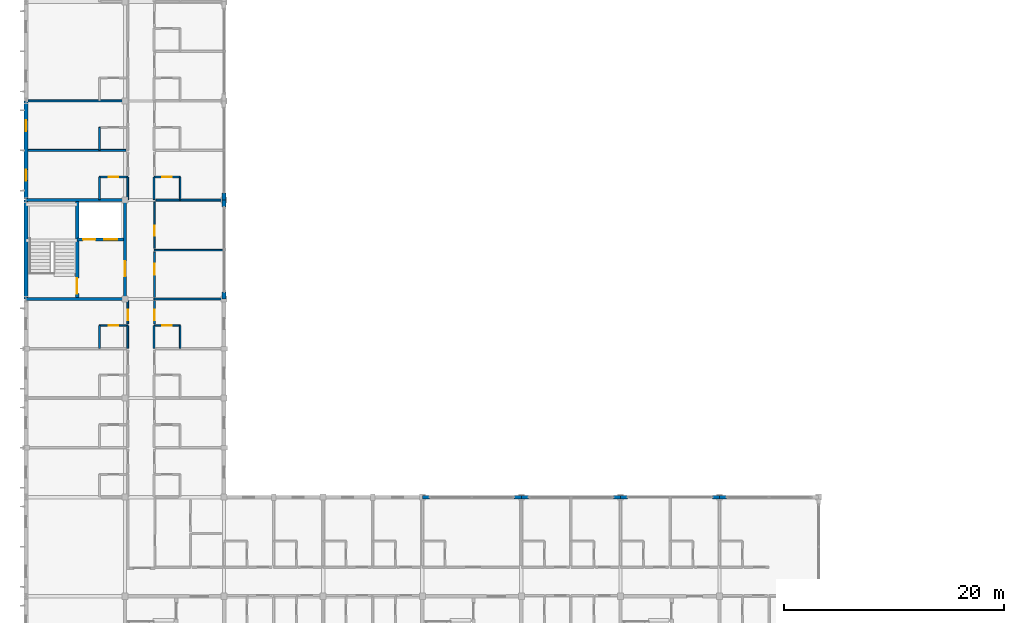
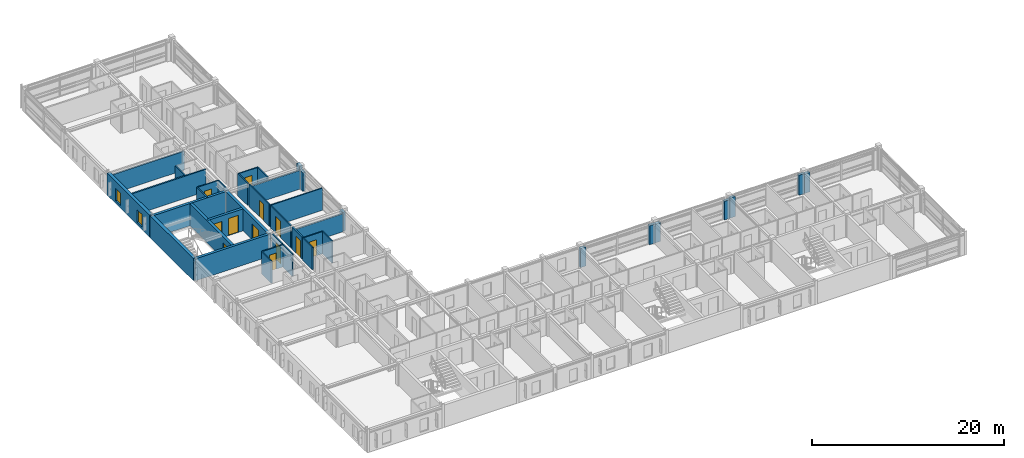
# One storey, part 19 of 30: 39 walls, 12 doors, 2 windows, 14 openings.
"""IFC4 building model written with IfcOpenShell, lengths in metres."""

from ifc_helpers import new_model, si_unit, direction, frame, frame_2d, origin, place, context, subcontext, project, spatial, rectangle, extrude, material, layer, layer_set, type_object, element, fill, save


model = new_model("IFC4")

# Units and contexts
model_context = context("Model", 3, precision=1e-05, world=origin(), true_north=direction((0.0, 1.0)))
body_context = subcontext(model_context, "Body", "Model", "MODEL_VIEW")
ifc_project = project(units=[si_unit("LENGTHUNIT", "METRE"), si_unit("AREAUNIT", "SQUARE_METRE"), si_unit("VOLUMEUNIT", "CUBIC_METRE"), si_unit("PLANEANGLEUNIT", "RADIAN"), si_unit("MASSUNIT", "GRAM", prefix="KILO")], contexts=[model_context])

# Site, building, storey
site_placement = place(None, origin())
site = spatial("IfcSite", under=ifc_project, at=site_placement, CompositionType="ELEMENT")
building_placement = place(site_placement, origin())
building = spatial("IfcBuilding", under=site, at=building_placement, Name="Palais des Congres Ocreval", CompositionType="ELEMENT")
storey_placement = place(building_placement, frame((0.0, 0.0, 14.56005859375)))
storey = spatial("IfcBuildingStorey", under=building, at=storey_placement, Name="L04", CompositionType="ELEMENT", Elevation=14.56005859375)

# Wall, opening, door
ifc_material_1 = material(Name="Moisture-resistant gypsum board")
ifc_layer_1 = layer(ifc_material_1, 0.139892578125)
ifc_layer_set_1 = layer_set([ifc_layer_1], Name="Bathroom Plumbing Chase Wall 140 Gypsum (Moisture-resistant gypsum board)")
wall_type_1 = type_object("IfcWallType", Name="Bathroom Plumbing Chase Wall 140 Gypsum", PredefinedType="PLUMBINGWALL", material=ifc_layer_set_1)
wall_1_placement = place(storey_placement, frame((6.679931640625, 33.580078125, 0.0), z_axis=(0.0, 0.0, 1.0), x_axis=(1.0, 0.0, 0.0)))
wall_1 = element("IfcWall", 1, at=wall_1_placement, inside=storey, type_object=wall_type_1, Name="Bathroom Plumbing Wall PW03 L04", PredefinedType="PLUMBINGWALL", context=body_context, shape_type="SweptSolid", body=[
    extrude(rectangle(XDim=2.56005859375, YDim=0.139892578125, at=frame_2d((1.280029296875, 0.0))), origin(), (0.0, 0.0, 1.0), 2.81982421875),
])
opening_1_placement = place(wall_1_placement, frame((0.85498046875, 0.0, 0.0)))
opening_1 = element("IfcOpeningElement", 2, at=opening_1_placement, cuts=wall_1, Name="Opening D08", PredefinedType="OPENING", context=body_context, shape_type="SweptSolid", body=[
    extrude(rectangle(XDim=0.85009765625, YDim=2.0400390625, at=frame_2d((0.425048828125, 1.02001953125))), frame((0.0, 0.079833984375, 0.0), z_axis=(0.0, -1.0, 0.0), x_axis=(1.0, 0.0, 0.0)), (0.0, 0.0, 1.0), 0.159912109375),
])
ifc_material_2 = material(Name="Solid French oak", Category="wood")
door_type_1 = type_object("IfcDoorType", Name="En-Suite Bathroom Door 850x2040", OperationType="NOTDEFINED", PredefinedType="DOOR", material=ifc_material_2)
door_1_placement = place(opening_1_placement, origin())
door_1 = element("IfcDoor", 3, at=door_1_placement, inside=storey, type_object=door_type_1, Name="En-Suite Bathroom Door D08 L04", OperationType="SINGLE_SWING_RIGHT", OverallHeight=2.0400390625, OverallWidth=0.85009765625, PredefinedType="DOOR", context=body_context, shape_type="SweptSolid", body=[
    extrude(rectangle(XDim=0.85009765625, YDim=2.0400390625, at=frame_2d((0.425048828125, 1.02001953125))), frame((0.0, 0.02490234375, 0.0), z_axis=(0.0, -1.0, 0.0), x_axis=(1.0, 0.0, 0.0)), (0.0, 0.0, 1.0), 0.050048828125),
])
fill(opening_1, door_1)

# Wall
wall_2_placement = place(storey_placement, frame((6.679931640625, 31.52001953125, 0.0), z_axis=(0.0, 0.0, 1.0), x_axis=(0.0, 1.0, 0.0)))
element("IfcWall", 4, at=wall_2_placement, inside=storey, type_object=wall_type_1, Name="Bathroom Plumbing Wall PW03 L04", PredefinedType="PLUMBINGWALL", context=body_context, shape_type="SweptSolid", body=[
    extrude(rectangle(XDim=2.06005859375, YDim=0.139892578125, at=frame_2d((1.030029296875, 0.0))), origin(), (0.0, 0.0, 1.0), 2.81982421875),
])

# Wall, opening, door
wall_3_placement = place(storey_placement, frame((11.639892578125, 33.580078125, 0.0), z_axis=(0.0, 0.0, 1.0), x_axis=(1.0, 0.0, 0.0)))
wall_3 = element("IfcWall", 5, at=wall_3_placement, inside=storey, type_object=wall_type_1, Name="Bathroom Plumbing Wall PW03 L04", PredefinedType="PLUMBINGWALL", context=body_context, shape_type="SweptSolid", body=[
    extrude(rectangle(XDim=2.360107421875, YDim=0.139892578125, at=frame_2d((1.18017578125, 0.0))), origin(), (0.0, 0.0, 1.0), 2.81982421875),
])
opening_2_placement = place(wall_3_placement, frame((0.7548828125, 0.0, 0.0)))
opening_2 = element("IfcOpeningElement", 6, at=opening_2_placement, cuts=wall_3, Name="Opening D08", PredefinedType="OPENING", context=body_context, shape_type="SweptSolid", body=[
    extrude(rectangle(XDim=0.85009765625, YDim=2.0400390625, at=frame_2d((0.425048828125, 1.02001953125))), frame((0.0, 0.079833984375, 0.0), z_axis=(0.0, -1.0, 0.0), x_axis=(1.0, 0.0, 0.0)), (0.0, 0.0, 1.0), 0.159912109375),
])
door_2_placement = place(opening_2_placement, origin())
door_2 = element("IfcDoor", 7, at=door_2_placement, inside=storey, type_object=door_type_1, Name="En-Suite Bathroom Door D08 L04", OperationType="SINGLE_SWING_RIGHT", OverallHeight=2.0400390625, OverallWidth=0.85009765625, PredefinedType="DOOR", context=body_context, shape_type="SweptSolid", body=[
    extrude(rectangle(XDim=0.85009765625, YDim=2.0400390625, at=frame_2d((0.425048828125, 1.02001953125))), frame((0.0, 0.02490234375, 0.0), z_axis=(0.0, -1.0, 0.0), x_axis=(1.0, 0.0, 0.0)), (0.0, 0.0, 1.0), 0.050048828125),
])
fill(opening_2, door_2)

# Wall
wall_4_placement = place(storey_placement, frame((14.0, 31.52001953125, 0.0), z_axis=(0.0, 0.0, 1.0), x_axis=(0.0, 1.0, 0.0)))
element("IfcWall", 8, at=wall_4_placement, inside=storey, type_object=wall_type_1, Name="Bathroom Plumbing Wall PW03 L04", PredefinedType="PLUMBINGWALL", context=body_context, shape_type="SweptSolid", body=[
    extrude(rectangle(XDim=2.06005859375, YDim=0.139892578125, at=frame_2d((1.030029296875, 0.0))), origin(), (0.0, 0.0, 1.0), 2.81982421875),
])

# Wall, opening, door
wall_5_placement = place(storey_placement, frame((6.679931640625, 47.080078125, 0.0), z_axis=(0.0, 0.0, 1.0), x_axis=(1.0, 0.0, 0.0)))
wall_5 = element("IfcWall", 9, at=wall_5_placement, inside=storey, type_object=wall_type_1, Name="Bathroom Plumbing Wall PW03 L04", PredefinedType="PLUMBINGWALL", context=body_context, shape_type="SweptSolid", body=[
    extrude(rectangle(XDim=2.56005859375, YDim=0.139892578125, at=frame_2d((1.280029296875, 0.0))), origin(), (0.0, 0.0, 1.0), 2.81982421875),
])
opening_3_placement = place(wall_5_placement, frame((0.85498046875, 0.0, 0.0)))
opening_3 = element("IfcOpeningElement", 10, at=opening_3_placement, cuts=wall_5, Name="Opening D08", PredefinedType="OPENING", context=body_context, shape_type="SweptSolid", body=[
    extrude(rectangle(XDim=0.85009765625, YDim=2.0400390625, at=frame_2d((0.425048828125, 1.02001953125))), frame((0.0, 0.079833984375, 0.0), z_axis=(0.0, -1.0, 0.0), x_axis=(1.0, 0.0, 0.0)), (0.0, 0.0, 1.0), 0.159912109375),
])
door_3_placement = place(opening_3_placement, origin())
door_3 = element("IfcDoor", 11, at=door_3_placement, inside=storey, type_object=door_type_1, Name="En-Suite Bathroom Door D08 L04", OperationType="SINGLE_SWING_LEFT", OverallHeight=2.0400390625, OverallWidth=0.85009765625, PredefinedType="DOOR", context=body_context, shape_type="SweptSolid", body=[
    extrude(rectangle(XDim=0.85009765625, YDim=2.0400390625, at=frame_2d((0.425048828125, 1.02001953125))), frame((0.0, 0.02490234375, 0.0), z_axis=(0.0, -1.0, 0.0), x_axis=(1.0, 0.0, 0.0)), (0.0, 0.0, 1.0), 0.050048828125),
])
fill(opening_3, door_3)

# Walls
for number, where, z_axis, x_axis, name in (
    (12, (6.679931640625, 45.02001953125, 0.0), (0.0, 0.0, 1.0), (0.0, 1.0, 0.0), "Bathroom Plumbing Wall PW03 L04"),
    (13, (6.679931640625, 49.52001953125, 0.0), (0.0, 0.0, 1.0), (0.0, 1.0, 0.0), "Bathroom Plumbing Wall PW03 L04"),
):
    element("IfcWall", number, at=place(storey_placement, frame(where, z_axis=z_axis, x_axis=x_axis)), inside=storey, type_object=wall_type_1, Name=name, PredefinedType="PLUMBINGWALL", context=body_context, shape_type="SweptSolid", body=[
        extrude(rectangle(XDim=2.06005859375, YDim=0.139892578125, at=frame_2d((1.030029296875, 0.0))), origin(), (0.0, 0.0, 1.0), 2.81982421875),
    ])

# Wall, opening, door
wall_6_placement = place(storey_placement, frame((11.639892578125, 47.080078125, 0.0), z_axis=(0.0, 0.0, 1.0), x_axis=(1.0, 0.0, 0.0)))
wall_6 = element("IfcWall", 14, at=wall_6_placement, inside=storey, type_object=wall_type_1, Name="Bathroom Plumbing Wall PW03 L04", PredefinedType="PLUMBINGWALL", context=body_context, shape_type="SweptSolid", body=[
    extrude(rectangle(XDim=2.360107421875, YDim=0.139892578125, at=frame_2d((1.18017578125, 0.0))), origin(), (0.0, 0.0, 1.0), 2.81982421875),
])
opening_4_placement = place(wall_6_placement, frame((0.7548828125, 0.0, 0.0)))
opening_4 = element("IfcOpeningElement", 15, at=opening_4_placement, cuts=wall_6, Name="Opening D08", PredefinedType="OPENING", context=body_context, shape_type="SweptSolid", body=[
    extrude(rectangle(XDim=0.85009765625, YDim=2.0400390625, at=frame_2d((0.425048828125, 1.02001953125))), frame((0.0, 0.079833984375, 0.0), z_axis=(0.0, -1.0, 0.0), x_axis=(1.0, 0.0, 0.0)), (0.0, 0.0, 1.0), 0.159912109375),
])
door_4_placement = place(opening_4_placement, origin())
door_4 = element("IfcDoor", 16, at=door_4_placement, inside=storey, type_object=door_type_1, Name="En-Suite Bathroom Door D08 L04", OperationType="SINGLE_SWING_LEFT", OverallHeight=2.0400390625, OverallWidth=0.85009765625, PredefinedType="DOOR", context=body_context, shape_type="SweptSolid", body=[
    extrude(rectangle(XDim=0.85009765625, YDim=2.0400390625, at=frame_2d((0.425048828125, 1.02001953125))), frame((0.0, 0.02490234375, 0.0), z_axis=(0.0, -1.0, 0.0), x_axis=(1.0, 0.0, 0.0)), (0.0, 0.0, 1.0), 0.050048828125),
])
fill(opening_4, door_4)

# Walls
wall_7_placement = place(storey_placement, frame((14.0, 45.02001953125, 0.0), z_axis=(0.0, 0.0, 1.0), x_axis=(0.0, 1.0, 0.0)))
element("IfcWall", 17, at=wall_7_placement, inside=storey, type_object=wall_type_1, Name="Bathroom Plumbing Wall PW03 L04", PredefinedType="PLUMBINGWALL", context=body_context, shape_type="SweptSolid", body=[
    extrude(rectangle(XDim=2.06005859375, YDim=0.139892578125, at=frame_2d((1.030029296875, 0.0))), origin(), (0.0, 0.0, 1.0), 2.81982421875),
])
wall_8_placement = place(storey_placement, frame((11.639892578125, 40.43505859375, 0.0), z_axis=(0.0, 0.0, 1.0), x_axis=(1.0, 0.0, 0.0)))
element("IfcWall", 18, at=wall_8_placement, inside=storey, type_object=wall_type_1, Name="Interior Partition PW03 L04", PredefinedType="PLUMBINGWALL", context=body_context, shape_type="SweptSolid", body=[
    extrude(rectangle(XDim=6.26513671875, YDim=0.139892578125, at=frame_2d((3.132568359375, 0.0))), origin(), (0.0, 0.0, 1.0), 2.81982421875),
])

# Wall, opening, door
wall_9_placement = place(storey_placement, frame((11.669921875, 40.590087890625, 0.0), z_axis=(0.0, 0.0, 1.0), x_axis=(0.0, 1.0, 0.0)))
wall_9 = element("IfcWall", 19, at=wall_9_placement, inside=storey, type_object=wall_type_1, Name="Interior Partition PW03 L04", PredefinedType="PLUMBINGWALL", context=body_context, shape_type="SweptSolid", body=[
    extrude(rectangle(XDim=4.22998046875, YDim=0.139892578125, at=frame_2d((2.114990234375, 0.0))), origin(), (0.0, 0.0, 1.0), 2.81982421875),
])
opening_5_placement = place(wall_9_placement, frame((1.157470703125, 0.0, 0.0)))
opening_5 = element("IfcOpeningElement", 20, at=opening_5_placement, cuts=wall_9, Name="Opening D09", PredefinedType="OPENING", context=body_context, shape_type="SweptSolid", body=[
    extrude(rectangle(XDim=0.89990234375, YDim=2.10009765625, at=frame_2d((0.449951171875, 1.050048828125))), frame((0.0, 0.079833984375, 0.0), z_axis=(0.0, -1.0, 0.0), x_axis=(1.0, 0.0, 0.0)), (0.0, 0.0, 1.0), 0.159912109375),
])
door_type_2 = type_object("IfcDoorType", Name="Accessible Restroom Door 900x2100", OperationType="NOTDEFINED", PredefinedType="DOOR", material=ifc_material_2)
door_5_placement = place(opening_5_placement, origin())
door_5 = element("IfcDoor", 21, at=door_5_placement, inside=storey, type_object=door_type_2, Name="Interior Door D09 L04", OperationType="SINGLE_SWING_LEFT", OverallHeight=2.10009765625, OverallWidth=0.89990234375, PredefinedType="DOOR", context=body_context, shape_type="SweptSolid", body=[
    extrude(rectangle(XDim=0.89990234375, YDim=2.10009765625, at=frame_2d((0.449951171875, 1.050048828125))), frame((0.0, 0.02490234375, 0.0), z_axis=(0.0, -1.0, 0.0), x_axis=(1.0, 0.0, 0.0)), (0.0, 0.0, 1.0), 0.050048828125),
])
fill(opening_5, door_5)

# Wall
ifc_material_3 = material(Name="Concrete C40/50", Category="concrete")
ifc_layer_2 = layer(ifc_material_3, 0.300048828125)
ifc_layer_set_2 = layer_set([ifc_layer_2], Name="Core Shear Wall 300 Concrete C40/50")
wall_type_2 = type_object("IfcWallType", Name="Core Shear Wall 300 Concrete C40/50", PredefinedType="SHEAR", material=ifc_layer_set_2)
wall_10_placement = place(storey_placement, frame((0.0, 36.0, 0.0), z_axis=(0.0, 0.0, 1.0), x_axis=(1.0, 0.0, 0.0)))
element("IfcWall", 22, at=wall_10_placement, inside=storey, type_object=wall_type_2, Name="Core Shear Wall SC03 L04 S", PredefinedType="SHEAR", context=body_context, shape_type="SweptSolid", body=[
    extrude(rectangle(XDim=9.0, YDim=0.300048828125, at=frame_2d((4.5, 0.0))), origin(), (0.0, 0.0, 1.0), 2.81982421875),
])

# Wall, opening, door
wall_11_placement = place(storey_placement, frame((9.0, 36.0, 0.0), z_axis=(0.0, 0.0, 1.0), x_axis=(0.0, 1.0, 0.0)))
wall_11 = element("IfcWall", 23, at=wall_11_placement, inside=storey, type_object=wall_type_2, Name="Core Shear Wall SC03 L04 E", PredefinedType="SHEAR", context=body_context, shape_type="SweptSolid", body=[
    extrude(rectangle(XDim=9.0, YDim=0.300048828125, at=frame_2d((4.5, 0.0))), origin(), (0.0, 0.0, 1.0), 2.81982421875),
])
opening_6_placement = place(wall_11_placement, frame((2.050048828125, 0.0, 0.0)))
opening_6 = element("IfcOpeningElement", 24, at=opening_6_placement, cuts=wall_11, Name="Opening D03", PredefinedType="OPENING", context=body_context, shape_type="SweptSolid", body=[
    extrude(rectangle(XDim=1.39990234375, YDim=2.02001953125, at=frame_2d((0.699951171875, 1.010009765625))), frame((0.0, 0.159912109375, 0.0), z_axis=(0.0, -1.0, 0.0), x_axis=(1.0, 0.0, 0.0)), (0.0, 0.0, 1.0), 0.320068359375),
])
ifc_material_4 = material(Name="Painted fire-rated steel", Category="steel")
door_type_3 = type_object("IfcDoorType", Name="Core Lobby Rated Door 1400x2020", OperationType="NOTDEFINED", PredefinedType="DOOR", material=ifc_material_4)
door_6_placement = place(opening_6_placement, origin())
door_6 = element("IfcDoor", 25, at=door_6_placement, inside=storey, type_object=door_type_3, Name="Firefighting Lobby Entrance Door SC03 L04", OperationType="DOUBLE_DOOR_SINGLE_SWING", OverallHeight=2.02001953125, OverallWidth=1.39990234375, PredefinedType="DOOR", context=body_context, shape_type="SweptSolid", body=[
    extrude(rectangle(XDim=1.39990234375, YDim=2.02001953125, at=frame_2d((0.699951171875, 1.010009765625))), frame((0.0, 0.02490234375, 0.0), z_axis=(0.0, -1.0, 0.0), x_axis=(1.0, 0.0, 0.0)), (0.0, 0.0, 1.0), 0.050048828125),
])
fill(opening_6, door_6)

# Wall
wall_12_placement = place(storey_placement, frame((0.0, 45.0, 0.0), z_axis=(0.0, 0.0, 1.0), x_axis=(1.0, 0.0, 0.0)))
element("IfcWall", 26, at=wall_12_placement, inside=storey, type_object=wall_type_2, Name="Core Shear Wall SC03 L04 N", PredefinedType="SHEAR", context=body_context, shape_type="SweptSolid", body=[
    extrude(rectangle(XDim=9.0, YDim=0.300048828125, at=frame_2d((4.5, 0.0))), origin(), (0.0, 0.0, 1.0), 2.81982421875),
])

# Wall, opening, door
wall_13_placement = place(storey_placement, frame((4.64990234375, 36.14990234375, 0.0), z_axis=(0.0, 0.0, 1.0), x_axis=(0.0, 1.0, 0.0)))
wall_13 = element("IfcWall", 27, at=wall_13_placement, inside=storey, type_object=wall_type_2, Name="Core Spine Shear Wall SC03 L04", PredefinedType="SHEAR", context=body_context, shape_type="SweptSolid", body=[
    extrude(rectangle(XDim=8.7001953125, YDim=0.300048828125, at=frame_2d((4.35009765625, 0.0))), origin(), (0.0, 0.0, 1.0), 2.81982421875),
])
opening_7_placement = place(wall_13_placement, frame((0.35009765625, 0.0, 0.0)))
opening_7 = element("IfcOpeningElement", 28, at=opening_7_placement, cuts=wall_13, Name="Opening D03", PredefinedType="OPENING", context=body_context, shape_type="SweptSolid", body=[
    extrude(rectangle(XDim=1.39990234375, YDim=2.02001953125, at=frame_2d((0.699951171875, 1.010009765625))), frame((0.0, 0.159912109375, 0.0), z_axis=(0.0, -1.0, 0.0), x_axis=(1.0, 0.0, 0.0)), (0.0, 0.0, 1.0), 0.320068359375),
])
door_7_placement = place(opening_7_placement, origin())
door_7 = element("IfcDoor", 29, at=door_7_placement, inside=storey, type_object=door_type_3, Name="Protected Exit Stair Door ST03 L04", OperationType="SINGLE_SWING_LEFT", OverallHeight=2.02001953125, OverallWidth=1.39990234375, PredefinedType="DOOR", context=body_context, shape_type="SweptSolid", body=[
    extrude(rectangle(XDim=1.39990234375, YDim=2.02001953125, at=frame_2d((0.699951171875, 1.010009765625))), frame((0.0, 0.02490234375, 0.0), z_axis=(0.0, -1.0, 0.0), x_axis=(1.0, 0.0, 0.0)), (0.0, 0.0, 1.0), 0.050048828125),
])
fill(opening_7, door_7)

# Wall, openings, doors
wall_14_placement = place(storey_placement, frame((4.64990234375, 41.39990234375, 0.0), z_axis=(0.0, 0.0, 1.0), x_axis=(1.0, 0.0, 0.0)))
wall_14 = element("IfcWall", 30, at=wall_14_placement, inside=storey, type_object=wall_type_2, Name="Lift Shaft Front Wall SC03 L04", PredefinedType="SHEAR", context=body_context, shape_type="SweptSolid", body=[
    extrude(rectangle(XDim=4.2001953125, YDim=0.300048828125, at=frame_2d((2.10009765625, 0.0))), origin(), (0.0, 0.0, 1.0), 2.81982421875),
])
opening_8_placement = place(wall_14_placement, frame((0.550048828125, 0.0, 0.0)))
opening_8 = element("IfcOpeningElement", 31, at=opening_8_placement, cuts=wall_14, Name="Opening LD01", PredefinedType="OPENING", context=body_context, shape_type="SweptSolid", body=[
    extrude(rectangle(XDim=1.10009765625, YDim=2.10009765625, at=frame_2d((0.550048828125, 1.050048828125))), frame((0.0, 0.159912109375, 0.0), z_axis=(0.0, -1.0, 0.0), x_axis=(1.0, 0.0, 0.0)), (0.0, 0.0, 1.0), 0.320068359375),
])
opening_9_placement = place(wall_14_placement, frame((2.449951171875, 0.0, 0.0)))
opening_9 = element("IfcOpeningElement", 32, at=opening_9_placement, cuts=wall_14, Name="Opening LD02", PredefinedType="OPENING", context=body_context, shape_type="SweptSolid", body=[
    extrude(rectangle(XDim=1.199951171875, YDim=2.199951171875, at=frame_2d((0.60009765625, 1.10009765625))), frame((0.0, 0.159912109375, 0.0), z_axis=(0.0, -1.0, 0.0), x_axis=(1.0, 0.0, 0.0)), (0.0, 0.0, 1.0), 0.320068359375),
])
ifc_material_5 = material(Name="Stainless steel", Category="steel")
door_type_4 = type_object("IfcDoorType", Name="Firefighting Lift Sliding Landing Door 1100x2100", OperationType="NOTDEFINED", PredefinedType="DOOR", material=ifc_material_5)
door_8_placement = place(opening_8_placement, origin())
door_8 = element("IfcDoor", 33, at=door_8_placement, inside=storey, type_object=door_type_4, Name="Lift Landing Sliding Door FF3 L04", OperationType="DOUBLE_DOOR_SLIDING", OverallHeight=2.10009765625, OverallWidth=1.10009765625, PredefinedType="DOOR", context=body_context, shape_type="SweptSolid", body=[
    extrude(rectangle(XDim=1.10009765625, YDim=2.10009765625, at=frame_2d((0.550048828125, 1.050048828125))), frame((0.0, 0.02490234375, 0.0), z_axis=(0.0, -1.0, 0.0), x_axis=(1.0, 0.0, 0.0)), (0.0, 0.0, 1.0), 0.050048828125),
])
fill(opening_8, door_8)
ifc_material_6 = material(Name="Anodized bronze steel", Category="steel")
door_type_5 = type_object("IfcDoorType", Name="Passenger and Service Lift Sliding Door 1200x2200", OperationType="NOTDEFINED", PredefinedType="DOOR", material=ifc_material_6)
door_9_placement = place(opening_9_placement, origin())
door_9 = element("IfcDoor", 34, at=door_9_placement, inside=storey, type_object=door_type_5, Name="Lift Landing Sliding Door PL3 L04", OperationType="DOUBLE_DOOR_SLIDING", OverallHeight=2.199951171875, OverallWidth=1.199951171875, PredefinedType="DOOR", context=body_context, shape_type="SweptSolid", body=[
    extrude(rectangle(XDim=1.199951171875, YDim=2.199951171875, at=frame_2d((0.60009765625, 1.10009765625))), frame((0.0, 0.02490234375, 0.0), z_axis=(0.0, -1.0, 0.0), x_axis=(1.0, 0.0, 0.0)), (0.0, 0.0, 1.0), 0.050048828125),
])
fill(opening_9, door_9)

# Walls
ifc_material_7 = material(Name="Gypsum acoustic partition")
ifc_layer_3 = layer(ifc_material_7, 0.159912109375)
ifc_layer_set_3 = layer_set([ifc_layer_3], Name="Corridor Fire Partition 160 Gypsum (Gypsum acoustic partition)")
wall_type_3 = type_object("IfcWallType", Name="Corridor Fire Partition 160 Gypsum", PredefinedType="PARTITIONING", material=ifc_layer_set_3)
for number, where, z_axis, x_axis, name in (
    (35, (9.239990234375, 31.52001953125, 0.0), (0.0, 0.0, 1.0), (0.0, 1.0, 0.0), "Corridor Partition IW03 L04"),
    (36, (11.639892578125, 31.52001953125, 0.0), (0.0, 0.0, 1.0), (0.0, 1.0, 0.0), "Corridor Partition IW03 L04"),
    (37, (9.239990234375, 45.02001953125, 0.0), (0.0, 0.0, 1.0), (0.0, 1.0, 0.0), "Corridor Partition IW03 L04"),
    (38, (11.639892578125, 45.02001953125, 0.0), (0.0, 0.0, 1.0), (0.0, 1.0, 0.0), "Corridor Partition IW03 L04"),
):
    element("IfcWall", number, at=place(storey_placement, frame(where, z_axis=z_axis, x_axis=x_axis)), inside=storey, type_object=wall_type_3, Name=name, PredefinedType="PARTITIONING", context=body_context, shape_type="SweptSolid", body=[
        extrude(rectangle(XDim=2.06005859375, YDim=0.159912109375, at=frame_2d((1.030029296875, 0.0))), origin(), (0.0, 0.0, 1.0), 2.81982421875),
    ])

# Wall, opening, door
wall_15_placement = place(storey_placement, frame((9.25, 33.735107421875, 0.0), z_axis=(0.0, 0.0, 1.0), x_axis=(0.0, 1.0, 0.0)))
wall_15 = element("IfcWall", 39, at=wall_15_placement, inside=storey, type_object=wall_type_3, Name="Interior Partition IW03 L04", PredefinedType="PARTITIONING", context=body_context, shape_type="SweptSolid", body=[
    extrude(rectangle(XDim=2.10986328125, YDim=0.159912109375, at=frame_2d((1.054931640625, 0.0))), origin(), (0.0, 0.0, 1.0), 2.81982421875),
])
opening_10_placement = place(wall_15_placement, frame((0.326904296875, 0.0, 0.0)))
opening_10 = element("IfcOpeningElement", 40, at=opening_10_placement, cuts=wall_15, Name="Opening D05", PredefinedType="OPENING", context=body_context, shape_type="SweptSolid", body=[
    extrude(rectangle(XDim=0.949951171875, YDim=2.14990234375, at=frame_2d((0.47509765625, 1.074951171875))), frame((0.0, 0.08984375, 0.0), z_axis=(0.0, -1.0, 0.0), x_axis=(1.0, 0.0, 0.0)), (0.0, 0.0, 1.0), 0.179931640625),
])
door_type_6 = type_object("IfcDoorType", Name="Hotel Guestroom Entrance Door 950x2150", OperationType="NOTDEFINED", PredefinedType="DOOR", material=ifc_material_2)
door_10_placement = place(opening_10_placement, origin())
door_10 = element("IfcDoor", 41, at=door_10_placement, inside=storey, type_object=door_type_6, Name="Interior Door D05 L04", OperationType="SINGLE_SWING_RIGHT", OverallHeight=2.14990234375, OverallWidth=0.949951171875, PredefinedType="DOOR", context=body_context, shape_type="SweptSolid", body=[
    extrude(rectangle(XDim=0.949951171875, YDim=2.14990234375, at=frame_2d((0.47509765625, 1.074951171875))), frame((0.0, 0.02490234375, 0.0), z_axis=(0.0, -1.0, 0.0), x_axis=(1.0, 0.0, 0.0)), (0.0, 0.0, 1.0), 0.050048828125),
])
fill(opening_10, door_10)

wall_16_placement = place(storey_placement, frame((11.669921875, 33.735107421875, 0.0), z_axis=(0.0, 0.0, 1.0), x_axis=(0.0, 1.0, 0.0)))
wall_16 = element("IfcWall", 42, at=wall_16_placement, inside=storey, type_object=wall_type_3, Name="Interior Partition IW03 L04", PredefinedType="PARTITIONING", context=body_context, shape_type="SweptSolid", body=[
    extrude(rectangle(XDim=2.10986328125, YDim=0.159912109375, at=frame_2d((1.054931640625, 0.0))), origin(), (0.0, 0.0, 1.0), 2.81982421875),
])
opening_11_placement = place(wall_16_placement, frame((0.326904296875, 0.0, 0.0)))
opening_11 = element("IfcOpeningElement", 43, at=opening_11_placement, cuts=wall_16, Name="Opening D05", PredefinedType="OPENING", context=body_context, shape_type="SweptSolid", body=[
    extrude(rectangle(XDim=0.949951171875, YDim=2.14990234375, at=frame_2d((0.47509765625, 1.074951171875))), frame((0.0, 0.08984375, 0.0), z_axis=(0.0, -1.0, 0.0), x_axis=(1.0, 0.0, 0.0)), (0.0, 0.0, 1.0), 0.179931640625),
])
door_11_placement = place(opening_11_placement, origin())
door_11 = element("IfcDoor", 44, at=door_11_placement, inside=storey, type_object=door_type_6, Name="Interior Door D05 L04", OperationType="SINGLE_SWING_RIGHT", OverallHeight=2.14990234375, OverallWidth=0.949951171875, PredefinedType="DOOR", context=body_context, shape_type="SweptSolid", body=[
    extrude(rectangle(XDim=0.949951171875, YDim=2.14990234375, at=frame_2d((0.47509765625, 1.074951171875))), frame((0.0, 0.02490234375, 0.0), z_axis=(0.0, -1.0, 0.0), x_axis=(1.0, 0.0, 0.0)), (0.0, 0.0, 1.0), 0.050048828125),
])
fill(opening_11, door_11)

wall_17_placement = place(storey_placement, frame((11.669921875, 36.155029296875, 0.0), z_axis=(0.0, 0.0, 1.0), x_axis=(0.0, 1.0, 0.0)))
wall_17 = element("IfcWall", 45, at=wall_17_placement, inside=storey, type_object=wall_type_3, Name="Interior Partition IW03 L04", PredefinedType="PARTITIONING", context=body_context, shape_type="SweptSolid", body=[
    extrude(rectangle(XDim=4.125, YDim=0.159912109375, at=frame_2d((2.0625, 0.0))), origin(), (0.0, 0.0, 1.0), 2.81982421875),
])
opening_12_placement = place(wall_17_placement, frame((2.0576171875, 0.0, 0.0)))
opening_12 = element("IfcOpeningElement", 46, at=opening_12_placement, cuts=wall_17, Name="Opening D10", PredefinedType="OPENING", context=body_context, shape_type="SweptSolid", body=[
    extrude(rectangle(XDim=1.0, YDim=2.10009765625, at=frame_2d((0.5, 1.050048828125))), frame((0.0, 0.08984375, 0.0), z_axis=(0.0, -1.0, 0.0), x_axis=(1.0, 0.0, 0.0)), (0.0, 0.0, 1.0), 0.179931640625),
])
ifc_material_8 = material(Name="Painted steel", Category="steel")
door_type_7 = type_object("IfcDoorType", Name="Service and Pantry Door 1000x2100", OperationType="NOTDEFINED", PredefinedType="DOOR", material=ifc_material_8)
door_12_placement = place(opening_12_placement, origin())
door_12 = element("IfcDoor", 47, at=door_12_placement, inside=storey, type_object=door_type_7, Name="Interior Door D10 L04", OperationType="SINGLE_SWING_RIGHT", OverallHeight=2.10009765625, OverallWidth=1.0, PredefinedType="DOOR", context=body_context, shape_type="SweptSolid", body=[
    extrude(rectangle(XDim=1.0, YDim=2.10009765625, at=frame_2d((0.5, 1.050048828125))), frame((0.0, 0.02490234375, 0.0), z_axis=(0.0, -1.0, 0.0), x_axis=(1.0, 0.0, 0.0)), (0.0, 0.0, 1.0), 0.050048828125),
])
fill(opening_12, door_12)

# Walls
ifc_layer_4 = layer(ifc_material_7, 0.179931640625)
ifc_layer_set_4 = layer_set([ifc_layer_4], Name="Hotel Inter-Room Acoustic Partition 180 Gypsum (Gypsum acoustic partition)")
wall_type_4 = type_object("IfcWallType", Name="Hotel Inter-Room Acoustic Partition 180 Gypsum", PredefinedType="PARTITIONING", material=ifc_layer_set_4)
wall_18_placement = place(storey_placement, frame((11.6201171875, 36.0, 0.0), z_axis=(0.0, 0.0, 1.0), x_axis=(1.0, 0.0, 0.0)))
element("IfcWall", 48, at=wall_18_placement, inside=storey, type_object=wall_type_4, Name="Hotel Party Partition IW02 L04", PredefinedType="PARTITIONING", context=body_context, shape_type="SweptSolid", body=[
    extrude(rectangle(XDim=6.204833984375, YDim=0.179931640625, at=frame_2d((3.1025390625, 0.0))), origin(), (0.0, 0.0, 1.0), 2.2900390625),
])
wall_19_placement = place(storey_placement, frame((11.794921875, 44.97509765625, 0.0), z_axis=(0.0, 0.0, 1.0), x_axis=(1.0, 0.0, 0.0)))
element("IfcWall", 49, at=wall_19_placement, inside=storey, type_object=wall_type_4, Name="Hotel Party Partition IW02 L04", PredefinedType="PARTITIONING", context=body_context, shape_type="SweptSolid", body=[
    extrude(rectangle(XDim=6.030029296875, YDim=0.179931640625, at=frame_2d((3.01513671875, 0.0))), origin(), (0.0, 0.0, 1.0), 2.3798828125),
])
wall_20_placement = place(storey_placement, frame((0.195068359375, 49.5, 0.0), z_axis=(0.0, 0.0, 1.0), x_axis=(1.0, 0.0, 0.0)))
element("IfcWall", 50, at=wall_20_placement, inside=storey, type_object=wall_type_4, Name="Hotel Party Partition IW02 L04", PredefinedType="PARTITIONING", context=body_context, shape_type="SweptSolid", body=[
    extrude(rectangle(XDim=8.889892578125, YDim=0.179931640625, at=frame_2d((4.44482421875, 0.0))), origin(), (0.0, 0.0, 1.0), 2.81982421875),
])
wall_21_placement = place(storey_placement, frame((0.195068359375, 54.0, 0.0), z_axis=(0.0, 0.0, 1.0), x_axis=(1.0, 0.0, 0.0)))
element("IfcWall", 51, at=wall_21_placement, inside=storey, type_object=wall_type_4, Name="Hotel Party Partition IW02 L04", PredefinedType="PARTITIONING", context=body_context, shape_type="SweptSolid", body=[
    extrude(rectangle(XDim=8.889892578125, YDim=0.179931640625, at=frame_2d((4.44482421875, 0.0))), origin(), (0.0, 0.0, 1.0), 2.419921875),
])
ifc_layer_5 = layer(ifc_material_3, 0.3798828125)
ifc_layer_set_5 = layer_set([ifc_layer_5], Name="Lutetian Limestone Street Wall 380 Concrete C40/50")
wall_type_5 = type_object("IfcWallType", Name="Lutetian Limestone Street Wall 380 Concrete C40/50", PredefinedType="SOLIDWALL", material=ifc_layer_set_5)
wall_22_placement = place(storey_placement, frame((0.0, 36.0, 0.0), z_axis=(0.0, 0.0, 1.0), x_axis=(0.0, 1.0, 0.0)))
element("IfcWall", 52, at=wall_22_placement, inside=storey, type_object=wall_type_5, Name="Core Perimeter Shear Wall EW03 SC03 L04", PredefinedType="SOLIDWALL", context=body_context, shape_type="SweptSolid", body=[
    extrude(rectangle(XDim=9.0, YDim=0.3798828125, at=frame_2d((4.5, 0.0))), origin(), (0.0, 0.0, 1.0), 2.81982421875),
])

# Wall, openings, windows
wall_23_placement = place(storey_placement, frame((0.0, 45.1298828125, 0.0), z_axis=(0.0, 0.0, 1.0), x_axis=(0.0, 1.0, 0.0)))
wall_23 = element("IfcWall", 53, at=wall_23_placement, inside=storey, type_object=wall_type_5, Name="Exterior Wall EW03 L04", PredefinedType="SOLIDWALL", context=body_context, shape_type="SweptSolid", body=[
    extrude(rectangle(XDim=8.8701171875, YDim=0.3798828125, at=frame_2d((4.43505859375, 0.0))), origin(), (0.0, 0.0, 1.0), 2.81982421875),
])
opening_13_placement = place(wall_23_placement, frame((1.6201171875, 0.0, 0.35009765625)))
opening_13 = element("IfcOpeningElement", 54, at=opening_13_placement, cuts=wall_23, Name="Opening WN18", PredefinedType="OPENING", context=body_context, shape_type="SweptSolid", body=[
    extrude(rectangle(XDim=1.0, YDim=1.60009765625, at=frame_2d((0.5, 0.800048828125))), frame((0.0, 0.199951171875, 0.0), z_axis=(0.0, -1.0, 0.0), x_axis=(1.0, 0.0, 0.0)), (0.0, 0.0, 1.0), 0.39990234375),
])
opening_14_placement = place(wall_23_placement, frame((6.1201171875, 0.0, 0.35009765625)))
opening_14 = element("IfcOpeningElement", 55, at=opening_14_placement, cuts=wall_23, Name="Opening WN18", PredefinedType="OPENING", context=body_context, shape_type="SweptSolid", body=[
    extrude(rectangle(XDim=1.0, YDim=1.60009765625, at=frame_2d((0.5, 0.800048828125))), frame((0.0, 0.199951171875, 0.0), z_axis=(0.0, -1.0, 0.0), x_axis=(1.0, 0.0, 0.0)), (0.0, 0.0, 1.0), 0.39990234375),
])
ifc_material_9 = material(Name="Anodized bronze aluminium and low-E glass", Category="glass")
window_type = type_object("IfcWindowType", Name="Stair and Lobby Daylight Window 1000x1600", PartitioningType="SINGLE_PANEL", PredefinedType="WINDOW", material=ifc_material_9)
window_1_placement = place(opening_13_placement, origin())
window_1 = element("IfcWindow", 56, at=window_1_placement, inside=storey, type_object=window_type, Name="Hotel Facade Window WN18", OverallHeight=1.60009765625, OverallWidth=1.0, PartitioningType="SINGLE_PANEL", PredefinedType="WINDOW", context=body_context, shape_type="SweptSolid", body=[
    extrude(rectangle(XDim=1.0, YDim=1.60009765625, at=frame_2d((0.5, 0.800048828125))), frame((0.0, 0.030029296875, 0.0), z_axis=(0.0, -1.0, 0.0), x_axis=(1.0, 0.0, 0.0)), (0.0, 0.0, 1.0), 0.06005859375),
])
fill(opening_13, window_1)
window_2_placement = place(opening_14_placement, origin())
window_2 = element("IfcWindow", 57, at=window_2_placement, inside=storey, type_object=window_type, Name="Hotel Facade Window WN18", OverallHeight=1.60009765625, OverallWidth=1.0, PartitioningType="SINGLE_PANEL", PredefinedType="WINDOW", context=body_context, shape_type="SweptSolid", body=[
    extrude(rectangle(XDim=1.0, YDim=1.60009765625, at=frame_2d((0.5, 0.800048828125))), frame((0.0, 0.030029296875, 0.0), z_axis=(0.0, -1.0, 0.0), x_axis=(1.0, 0.0, 0.0)), (0.0, 0.0, 1.0), 0.06005859375),
])
fill(opening_14, window_2)

# Walls
ifc_layer_6 = layer(ifc_material_3, 0.340087890625)
ifc_layer_set_6 = layer_set([ifc_layer_6], Name="Ochre Mineral-Lime Courtyard Wall 340 Concrete C40/50")
wall_type_6 = type_object("IfcWallType", Name="Ochre Mineral-Lime Courtyard Wall 340 Concrete C40/50", PredefinedType="SOLIDWALL", material=ifc_layer_set_6)
wall_24_placement = place(storey_placement, frame((18.0, 45.64990234375, 0.0), z_axis=(0.0, 0.0, 1.0), x_axis=(0.0, -1.0, 0.0)))
element("IfcWall", 58, at=wall_24_placement, inside=storey, type_object=wall_type_6, Name="Facade Pier EW04 L04", PredefinedType="SOLIDWALL", context=body_context, shape_type="SweptSolid", body=[
    extrude(rectangle(XDim=0.64990234375, YDim=0.340087890625, at=frame_2d((0.324951171875, 0.0))), origin(), (0.0, 0.0, 1.0), 2.81982421875),
])
for number, where, z_axis, x_axis, name in (
    (59, (18.0, 45.0, 0.0), (0.0, 0.0, 1.0), (0.0, -1.0, 0.0), "Facade Pier EW04 L04"),
    (60, (18.0, 36.64990234375, 0.0), (0.0, 0.0, 1.0), (0.0, -1.0, 0.0), "Facade Pier EW04 L04"),
):
    element("IfcWall", number, at=place(storey_placement, frame(where, z_axis=z_axis, x_axis=x_axis)), inside=storey, type_object=wall_type_6, Name=name, PredefinedType="SOLIDWALL", context=body_context, shape_type="SweptSolid", body=[
        extrude(rectangle(XDim=0.64990234375, YDim=0.340087890625, at=frame_2d((0.324951171875, 0.0))), origin(), (0.0, 0.0, 1.0), 2.3798828125),
    ])
for number, where, z_axis, x_axis, name in (
    (61, (36.0, 18.0, 0.0), (0.0, 0.0, 1.0), (1.0, 0.0, 0.0), "Facade Pier EW04 L04"),
    (62, (44.35009765625, 18.0, 0.0), (0.0, 0.0, 1.0), (1.0, 0.0, 0.0), "Facade Pier EW04 L04"),
):
    element("IfcWall", number, at=place(storey_placement, frame(where, z_axis=z_axis, x_axis=x_axis)), inside=storey, type_object=wall_type_6, Name=name, PredefinedType="SOLIDWALL", context=body_context, shape_type="SweptSolid", body=[
        extrude(rectangle(XDim=0.64990234375, YDim=0.340087890625, at=frame_2d((0.324951171875, 0.0))), origin(), (0.0, 0.0, 1.0), 2.419921875),
    ])
for number, where, z_axis, x_axis, name in (
    (63, (45.0, 18.0, 0.0), (0.0, 0.0, 1.0), (1.0, 0.0, 0.0), "Facade Pier EW04 L04"),
    (64, (53.35009765625, 18.0, 0.0), (0.0, 0.0, 1.0), (1.0, 0.0, 0.0), "Facade Pier EW04 L04"),
):
    element("IfcWall", number, at=place(storey_placement, frame(where, z_axis=z_axis, x_axis=x_axis)), inside=storey, type_object=wall_type_6, Name=name, PredefinedType="SOLIDWALL", context=body_context, shape_type="SweptSolid", body=[
        extrude(rectangle(XDim=0.64990234375, YDim=0.340087890625, at=frame_2d((0.324951171875, 0.0))), origin(), (0.0, 0.0, 1.0), 2.3798828125),
    ])
for number, where, z_axis, x_axis, name in (
    (65, (54.0, 18.0, 0.0), (0.0, 0.0, 1.0), (1.0, 0.0, 0.0), "Facade Pier EW04 L04"),
    (66, (62.35009765625, 18.0, 0.0), (0.0, 0.0, 1.0), (1.0, 0.0, 0.0), "Facade Pier EW04 L04"),
):
    element("IfcWall", number, at=place(storey_placement, frame(where, z_axis=z_axis, x_axis=x_axis)), inside=storey, type_object=wall_type_6, Name=name, PredefinedType="SOLIDWALL", context=body_context, shape_type="SweptSolid", body=[
        extrude(rectangle(XDim=0.64990234375, YDim=0.340087890625, at=frame_2d((0.324951171875, 0.0))), origin(), (0.0, 0.0, 1.0), 2.550048828125),
    ])
wall_25_placement = place(storey_placement, frame((63.0, 18.0, 0.0), z_axis=(0.0, 0.0, 1.0), x_axis=(1.0, 0.0, 0.0)))
element("IfcWall", 67, at=wall_25_placement, inside=storey, type_object=wall_type_6, Name="Facade Pier EW04 L04", PredefinedType="SOLIDWALL", context=body_context, shape_type="SweptSolid", body=[
    extrude(rectangle(XDim=0.64990234375, YDim=0.340087890625, at=frame_2d((0.324951171875, 0.0))), origin(), (0.0, 0.0, 1.0), 2.47998046875),
])

save(model, "model.ifc")
